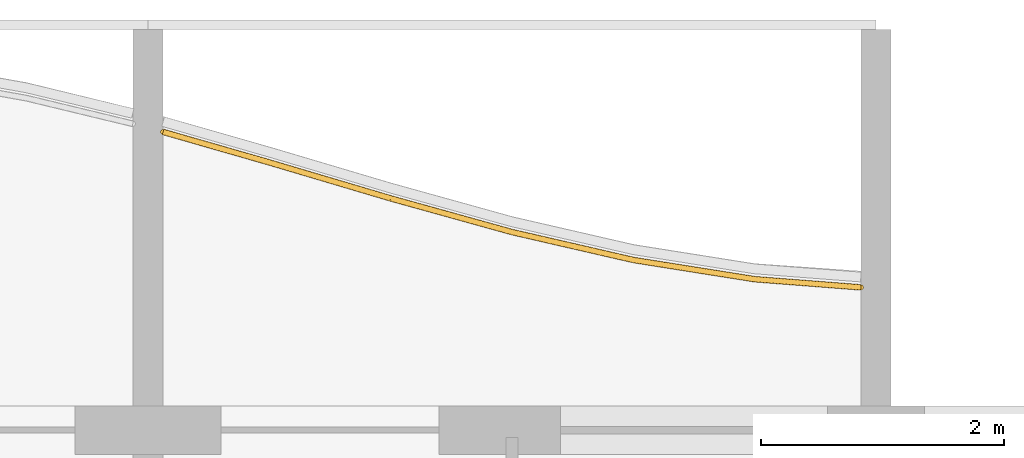
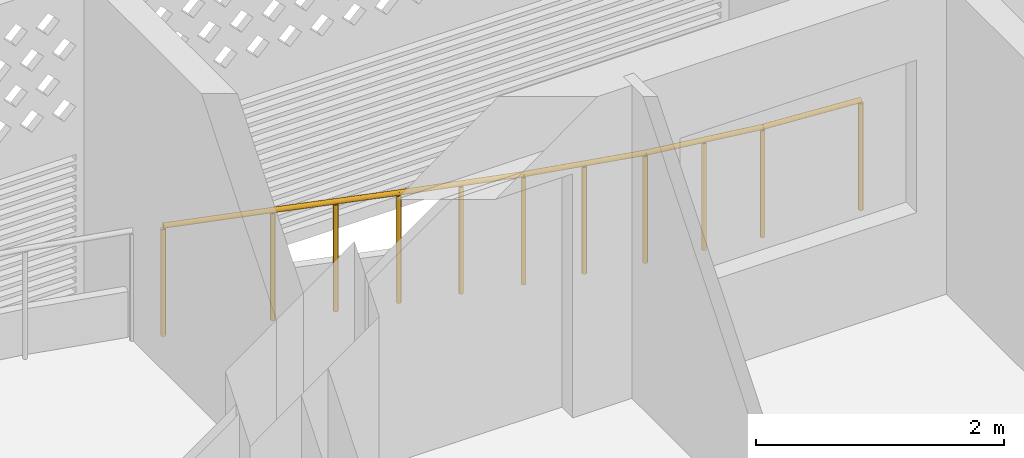
# One storey, part 20 of 27: 1 railing.
"""IFC4 building model written with IfcOpenShell, lengths in metres."""

from ifc_helpers import new_model, si_unit, direction, frame, origin, origin_2d, place, context, subcontext, project, spatial, circle, extrude, material, type_object, element, save


model = new_model("IFC4")

# Units and contexts
model_context = context("Model", 3, precision=1e-05, world=origin(), true_north=direction((0.0, 1.0)))
body_context = subcontext(model_context, "Body", "Model", "MODEL_VIEW")
ifc_project = project(units=[si_unit("LENGTHUNIT", "METRE"), si_unit("AREAUNIT", "SQUARE_METRE"), si_unit("VOLUMEUNIT", "CUBIC_METRE"), si_unit("PLANEANGLEUNIT", "RADIAN"), si_unit("MASSUNIT", "GRAM", prefix="KILO")], contexts=[model_context])

# Site, building, storey
site_placement = place(None, origin())
site = spatial("IfcSite", under=ifc_project, at=site_placement, CompositionType="ELEMENT")
building_placement = place(site_placement, origin())
building = spatial("IfcBuilding", under=site, at=building_placement, Name="Poui Terraces", CompositionType="ELEMENT")
storey_placement = place(building_placement, frame((0.0, 0.0, 201.60009765625)))
storey = spatial("IfcBuildingStorey", under=building, at=storey_placement, Name="L56", CompositionType="ELEMENT", Elevation=201.60009765625)

# Railing
ifc_material = material(Name="Painted steel fretwork", Category="steel")
railing_type = type_object("IfcRailingType", Name="BALCONY GUARD 1100", PredefinedType="GUARDRAIL", material=ifc_material)
railing_placement = place(storey_placement, frame((36.125, 43.65771484375, 0.0)))
element("IfcRailing", 1, at=railing_placement, inside=storey, type_object=railing_type, Name="BALCONY GUARD", PredefinedType="GUARDRAIL", context=body_context, shape_type="SweptSolid", body=[
    extrude(circle(Radius=0.02392578125, at=origin_2d()), frame((0.0, 0.0, 1.076171875), z_axis=(0.961168944086, -0.275960614806, 0.0), x_axis=(0.275960614806, 0.961168944086, 0.0)), (0.0, 0.0, 1.0), 0.910400390625),
    extrude(circle(Radius=0.02392578125, at=origin_2d()), frame((0.875, -0.251220703125, 1.076171875), z_axis=(0.958774495191, -0.284168026651, 0.0), x_axis=(0.284168026651, 0.958774495191, 0.0)), (0.0, 0.0, 1.0), 1.04296875),
    extrude(circle(Radius=0.02392578125, at=origin_2d()), frame((1.875, -0.547607421875, 1.076171875), z_axis=(0.963565078544, -0.267473997633, 0.0), x_axis=(0.267473997633, 0.963565078544, 0.0)), (0.0, 0.0, 1.0), 1.037841796875),
    extrude(circle(Radius=0.02392578125, at=origin_2d()), frame((2.875, -0.8251953125, 1.076171875), z_axis=(0.974559344395, -0.224129614849, 0.0), x_axis=(0.224129614849, 0.974559344395, 0.0)), (0.0, 0.0, 1.0), 1.026123046875),
    extrude(circle(Radius=0.02392578125, at=origin_2d()), frame((3.875, -1.05517578125, 1.076171875), z_axis=(0.9876787513, -0.156494997459, 0.0), x_axis=(0.156494997459, 0.9876787513, 0.0)), (0.0, 0.0, 1.0), 1.012451171875),
    extrude(circle(Radius=0.02392578125, at=origin_2d()), frame((4.875, -1.213623046875, 1.076171875), z_axis=(0.997047936125, -0.076781593295, 0.0), x_axis=(0.076781593295, 0.997047936125, 0.0)), (0.0, 0.0, 1.0), 0.877685546875),
    extrude(circle(Radius=0.02099609375, at=origin_2d()), origin(), (0.0, 0.0, 1.0), 1.052001953125),
    extrude(circle(Radius=0.02099609375, at=origin_2d()), frame((0.875, -0.251220703125, 0.0)), (0.0, 0.0, 1.0), 1.052001953125),
    extrude(circle(Radius=0.02099609375, at=origin_2d()), frame((1.375, -0.3994140625, 0.0)), (0.0, 0.0, 1.0), 1.052001953125),
    extrude(circle(Radius=0.02099609375, at=origin_2d()), frame((1.875, -0.547607421875, 0.0)), (0.0, 0.0, 1.0), 1.052001953125),
    extrude(circle(Radius=0.02099609375, at=origin_2d()), frame((2.375, -0.6865234375, 0.0)), (0.0, 0.0, 1.0), 1.052001953125),
    extrude(circle(Radius=0.02099609375, at=origin_2d()), frame((2.875, -0.8251953125, 0.0)), (0.0, 0.0, 1.0), 1.052001953125),
    extrude(circle(Radius=0.02099609375, at=origin_2d()), frame((3.375, -0.940185546875, 0.0)), (0.0, 0.0, 1.0), 1.052001953125),
    extrude(circle(Radius=0.02099609375, at=origin_2d()), frame((3.875, -1.05517578125, 0.0)), (0.0, 0.0, 1.0), 1.052001953125),
    extrude(circle(Radius=0.02099609375, at=origin_2d()), frame((4.375, -1.13427734375, 0.0)), (0.0, 0.0, 1.0), 1.052001953125),
    extrude(circle(Radius=0.02099609375, at=origin_2d()), frame((4.875, -1.213623046875, 0.0)), (0.0, 0.0, 1.0), 1.052001953125),
    extrude(circle(Radius=0.02099609375, at=origin_2d()), frame((5.75, -1.281005859375, 0.0)), (0.0, 0.0, 1.0), 1.052001953125),
])

save(model, "model.ifc")
